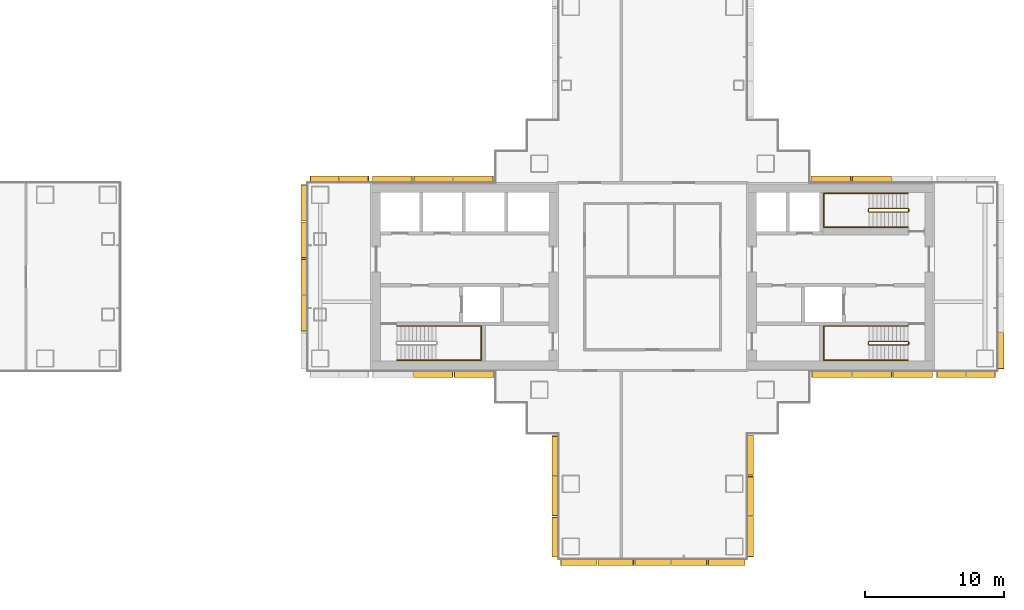
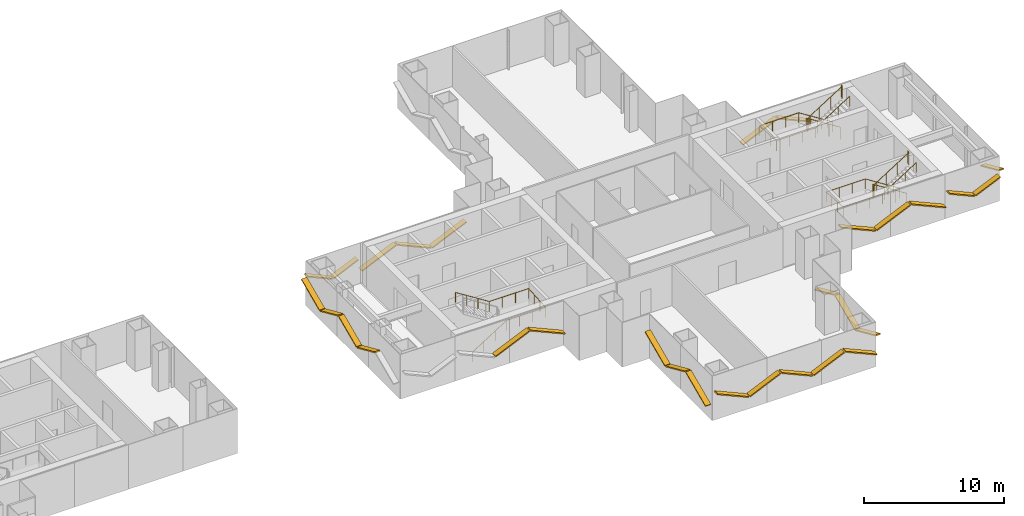
# One storey, part 18 of 20: 30 shading devices, 5 railings.
"""IFC4 building model written with IfcOpenShell, lengths in metres."""

from ifc_helpers import new_model, si_unit, direction, frame, origin, origin_2d, place, context, subcontext, project, spatial, rectangle, circle, extrude, material, material_profile, profile_set, type_object, element, save


model = new_model("IFC4")

# Units and contexts
model_context = context("Model", 3, precision=1e-05, world=origin(), true_north=direction((0.0, 1.0)))
body_context = subcontext(model_context, "Body", "Model", "MODEL_VIEW")
ifc_project = project(units=[si_unit("LENGTHUNIT", "METRE"), si_unit("AREAUNIT", "SQUARE_METRE"), si_unit("VOLUMEUNIT", "CUBIC_METRE"), si_unit("PLANEANGLEUNIT", "RADIAN"), si_unit("MASSUNIT", "GRAM", prefix="KILO")], contexts=[model_context])

# Site, building, storey
site_placement = place(None, origin())
site = spatial("IfcSite", under=ifc_project, at=site_placement, CompositionType="ELEMENT")
building_placement = place(site_placement, origin())
building = spatial("IfcBuilding", under=site, at=building_placement, Name="Shamsa Quay Exchange Towers", CompositionType="ELEMENT")
storey_placement = place(building_placement, frame((0.0, 0.0, 105.300048828125)))
storey = spatial("IfcBuildingStorey", under=building, at=storey_placement, Name="L24", CompositionType="ELEMENT", Elevation=105.300048828125)

# Shading devices
ifc_material_1 = material(Name="Aluminium EN AW-6063 T6, black anodised", Category="aluminium")
ifc_material_profile = material_profile(ifc_material_1, rectangle(XDim=0.449951171875, YDim=0.10009765625, at=origin_2d()), Name="FIN450x100")
ifc_profile_set = profile_set([ifc_material_profile], Name="Aluminium EN AW-6063 T6, black anodised")
shading_device_type = type_object("IfcShadingDeviceType", Name="FIN 450x100 BLACK ALUMINIUM", PredefinedType="USERDEFINED", material=ifc_profile_set)
shading_device_1_placement = place(storey_placement, frame((45.18798828125, -7.01904296875, 2.231689453125), z_axis=(0.913529328323, 0.0, -0.406772868187), x_axis=(0.0, 1.0, 0.0)))
element("IfcShadingDevice", 1, at=shading_device_1_placement, inside=storey, type_object=shading_device_type, Name="FIN T2 chevron rib", ObjectType="FIN", PredefinedType="USERDEFINED", context=body_context, shape_type="SweptSolid", body=[
    extrude(rectangle(XDim=0.449951171875, YDim=0.10009765625, at=origin_2d()), origin(), (0.0, 0.0, 1.0), 3.10595703125),
])
shading_device_2_placement = place(storey_placement, frame((48.125244140625, -7.01904296875, 0.9794921875), z_axis=(0.913550687431, 0.0, 0.406724896576), x_axis=(0.0, 1.0, 0.0)))
element("IfcShadingDevice", 2, at=shading_device_2_placement, inside=storey, type_object=shading_device_type, Name="FIN T2 chevron rib", ObjectType="FIN", PredefinedType="USERDEFINED", context=body_context, shape_type="SweptSolid", body=[
    extrude(rectangle(XDim=0.449951171875, YDim=0.10009765625, at=origin_2d()), origin(), (0.0, 0.0, 1.0), 3.051025390625),
])
shading_device_3_placement = place(storey_placement, frame((51.0126953125, -7.01904296875, 2.231689453125), z_axis=(0.913529328323, 0.0, -0.406772868187), x_axis=(0.0, 1.0, 0.0)))
element("IfcShadingDevice", 3, at=shading_device_3_placement, inside=storey, type_object=shading_device_type, Name="FIN T2 chevron rib", ObjectType="FIN", PredefinedType="USERDEFINED", context=body_context, shape_type="SweptSolid", body=[
    extrude(rectangle(XDim=0.449951171875, YDim=0.10009765625, at=origin_2d()), origin(), (0.0, 0.0, 1.0), 3.10595703125),
])
for number, where, z_axis, x_axis, name in (
    (4, (54.14990234375, -7.014892578125, 2.056396484375), (0.913528691757, 0.0, -0.406774297783), (0.0, 1.0, 0.0), "FIN T2 chevron rib"),
    (5, (56.300048828125, -7.014892578125, 1.1435546875), (0.913528691757, 0.0, 0.406774297783), (0.0, 1.0, 0.0), "FIN T2 chevron rib"),
):
    element("IfcShadingDevice", number, at=place(storey_placement, frame(where, z_axis=z_axis, x_axis=x_axis)), inside=storey, type_object=shading_device_type, Name=name, ObjectType="FIN", PredefinedType="USERDEFINED", context=body_context, shape_type="SweptSolid", body=[
        extrude(rectangle(XDim=0.449951171875, YDim=0.10009765625, at=origin_2d()), origin(), (0.0, 0.0, 1.0), 2.244140625),
    ])
shading_device_4_placement = place(storey_placement, frame((58.764892578125, -6.60009765625, 2.176513671875), z_axis=(0.0, 0.91355925163, -0.406705659859), x_axis=(-1.0, 0.0, 0.0)))
element("IfcShadingDevice", 6, at=shading_device_4_placement, inside=storey, type_object=shading_device_type, Name="FIN T2 chevron rib", ObjectType="FIN", PredefinedType="USERDEFINED", context=body_context, shape_type="SweptSolid", body=[
    extrude(rectangle(XDim=0.449951171875, YDim=0.10009765625, at=origin_2d()), origin(), (0.0, 0.0, 1.0), 2.835205078125),
])
shading_device_5_placement = place(storey_placement, frame((50.89990234375, 7.01904296875, 0.9765625), z_axis=(-0.913512380128, 0.0, 0.406810928262), x_axis=(0.0, -1.0, 0.0)))
element("IfcShadingDevice", 7, at=shading_device_5_placement, inside=storey, type_object=shading_device_type, Name="FIN T2 chevron rib", ObjectType="FIN", PredefinedType="USERDEFINED", context=body_context, shape_type="SweptSolid", body=[
    extrude(rectangle(XDim=0.449951171875, YDim=0.10009765625, at=origin_2d()), origin(), (0.0, 0.0, 1.0), 3.06494140625),
])
shading_device_6_placement = place(storey_placement, frame((48.0, 7.01904296875, 2.234375), z_axis=(-0.913562893981, 0.0, -0.406697478158), x_axis=(0.0, -1.0, 0.0)))
element("IfcShadingDevice", 8, at=shading_device_6_placement, inside=storey, type_object=shading_device_type, Name="FIN T2 chevron rib", ObjectType="FIN", PredefinedType="USERDEFINED", context=body_context, shape_type="SweptSolid", body=[
    extrude(rectangle(XDim=0.449951171875, YDim=0.10009765625, at=origin_2d()), origin(), (0.0, 0.0, 1.0), 3.119873046875),
])
shading_device_7_placement = place(storey_placement, frame((22.31201171875, 7.01904296875, 2.231689453125), z_axis=(-0.913529328323, 0.0, -0.406772868187), x_axis=(0.0, -1.0, 0.0)))
element("IfcShadingDevice", 9, at=shading_device_7_placement, inside=storey, type_object=shading_device_type, Name="FIN T2 chevron rib", ObjectType="FIN", PredefinedType="USERDEFINED", context=body_context, shape_type="SweptSolid", body=[
    extrude(rectangle(XDim=0.449951171875, YDim=0.10009765625, at=origin_2d()), origin(), (0.0, 0.0, 1.0), 3.10595703125),
])
shading_device_8_placement = place(storey_placement, frame((19.374755859375, 7.01904296875, 0.9794921875), z_axis=(-0.913550687431, 0.0, 0.406724896576), x_axis=(0.0, -1.0, 0.0)))
element("IfcShadingDevice", 10, at=shading_device_8_placement, inside=storey, type_object=shading_device_type, Name="FIN T2 chevron rib", ObjectType="FIN", PredefinedType="USERDEFINED", context=body_context, shape_type="SweptSolid", body=[
    extrude(rectangle(XDim=0.449951171875, YDim=0.10009765625, at=origin_2d()), origin(), (0.0, 0.0, 1.0), 3.051025390625),
])
shading_device_9_placement = place(storey_placement, frame((16.4873046875, 7.01904296875, 2.231689453125), z_axis=(-0.913529328323, 0.0, -0.406772868187), x_axis=(0.0, -1.0, 0.0)))
element("IfcShadingDevice", 11, at=shading_device_9_placement, inside=storey, type_object=shading_device_type, Name="FIN T2 chevron rib", ObjectType="FIN", PredefinedType="USERDEFINED", context=body_context, shape_type="SweptSolid", body=[
    extrude(rectangle(XDim=0.449951171875, YDim=0.10009765625, at=origin_2d()), origin(), (0.0, 0.0, 1.0), 3.10595703125),
])
for number, where, z_axis, x_axis, name in (
    (12, (13.35009765625, 7.014892578125, 2.056396484375), (-0.913528691757, 0.0, -0.406774297783), (0.0, -1.0, 0.0), "FIN T2 chevron rib"),
    (13, (11.199951171875, 7.014892578125, 1.1435546875), (-0.913528691757, 0.0, 0.406774297783), (0.0, -1.0, 0.0), "FIN T2 chevron rib"),
):
    element("IfcShadingDevice", number, at=place(storey_placement, frame(where, z_axis=z_axis, x_axis=x_axis)), inside=storey, type_object=shading_device_type, Name=name, ObjectType="FIN", PredefinedType="USERDEFINED", context=body_context, shape_type="SweptSolid", body=[
        extrude(rectangle(XDim=0.449951171875, YDim=0.10009765625, at=origin_2d()), origin(), (0.0, 0.0, 1.0), 2.244140625),
    ])
shading_device_10_placement = place(storey_placement, frame((8.735107421875, 6.60009765625, 2.176513671875), z_axis=(0.0, -0.91355925163, -0.406705659859), x_axis=(1.0, 0.0, 0.0)))
element("IfcShadingDevice", 14, at=shading_device_10_placement, inside=storey, type_object=shading_device_type, Name="FIN T2 chevron rib", ObjectType="FIN", PredefinedType="USERDEFINED", context=body_context, shape_type="SweptSolid", body=[
    extrude(rectangle(XDim=0.449951171875, YDim=0.10009765625, at=origin_2d()), origin(), (0.0, 0.0, 1.0), 2.835205078125),
])
shading_device_11_placement = place(storey_placement, frame((8.735107421875, 3.909912109375, 1.034423828125), z_axis=(0.0, -0.913536125794, 0.406757602103), x_axis=(1.0, 0.0, 0.0)))
element("IfcShadingDevice", 15, at=shading_device_11_placement, inside=storey, type_object=shading_device_type, Name="FIN T2 chevron rib", ObjectType="FIN", PredefinedType="USERDEFINED", context=body_context, shape_type="SweptSolid", body=[
    extrude(rectangle(XDim=0.449951171875, YDim=0.10009765625, at=origin_2d()), origin(), (0.0, 0.0, 1.0), 2.7802734375),
])
shading_device_12_placement = place(storey_placement, frame((8.735107421875, 1.27001953125, 2.165283203125), z_axis=(0.0, -0.913550653139, -0.4067249736), x_axis=(1.0, 0.0, 0.0)))
element("IfcShadingDevice", 16, at=shading_device_12_placement, inside=storey, type_object=shading_device_type, Name="FIN T2 chevron rib", ObjectType="FIN", PredefinedType="USERDEFINED", context=body_context, shape_type="SweptSolid", body=[
    extrude(rectangle(XDim=0.449951171875, YDim=0.10009765625, at=origin_2d()), origin(), (0.0, 0.0, 1.0), 2.780517578125),
])
shading_device_13_placement = place(storey_placement, frame((8.735107421875, -1.3701171875, 1.034423828125), z_axis=(0.0, -0.913536125794, 0.406757602103), x_axis=(1.0, 0.0, 0.0)))
element("IfcShadingDevice", 17, at=shading_device_13_placement, inside=storey, type_object=shading_device_type, Name="FIN T2 chevron rib", ObjectType="FIN", PredefinedType="USERDEFINED", context=body_context, shape_type="SweptSolid", body=[
    extrude(rectangle(XDim=0.449951171875, YDim=0.10009765625, at=origin_2d()), origin(), (0.0, 0.0, 1.0), 2.7802734375),
])
shading_device_14_placement = place(storey_placement, frame((16.60009765625, -7.01904296875, 0.9765625), z_axis=(0.913512380128, 0.0, 0.406810928262), x_axis=(0.0, 1.0, 0.0)))
element("IfcShadingDevice", 18, at=shading_device_14_placement, inside=storey, type_object=shading_device_type, Name="FIN T2 chevron rib", ObjectType="FIN", PredefinedType="USERDEFINED", context=body_context, shape_type="SweptSolid", body=[
    extrude(rectangle(XDim=0.449951171875, YDim=0.10009765625, at=origin_2d()), origin(), (0.0, 0.0, 1.0), 3.06494140625),
])
shading_device_15_placement = place(storey_placement, frame((19.5, -7.01904296875, 2.234375), z_axis=(0.913562893981, 0.0, -0.406697478158), x_axis=(0.0, 1.0, 0.0)))
element("IfcShadingDevice", 19, at=shading_device_15_placement, inside=storey, type_object=shading_device_type, Name="FIN T2 chevron rib", ObjectType="FIN", PredefinedType="USERDEFINED", context=body_context, shape_type="SweptSolid", body=[
    extrude(rectangle(XDim=0.449951171875, YDim=0.10009765625, at=origin_2d()), origin(), (0.0, 0.0, 1.0), 3.119873046875),
])
shading_device_16_placement = place(storey_placement, frame((26.735107421875, -11.43798828125, 2.231689453125), z_axis=(0.0, -0.913529328323, -0.406772868187), x_axis=(1.0, 0.0, 0.0)))
element("IfcShadingDevice", 20, at=shading_device_16_placement, inside=storey, type_object=shading_device_type, Name="FIN T2 chevron rib", ObjectType="FIN", PredefinedType="USERDEFINED", context=body_context, shape_type="SweptSolid", body=[
    extrude(rectangle(XDim=0.449951171875, YDim=0.10009765625, at=origin_2d()), origin(), (0.0, 0.0, 1.0), 3.10595703125),
])
shading_device_17_placement = place(storey_placement, frame((26.735107421875, -14.375244140625, 0.9794921875), z_axis=(0.0, -0.913550687431, 0.406724896576), x_axis=(1.0, 0.0, 0.0)))
element("IfcShadingDevice", 21, at=shading_device_17_placement, inside=storey, type_object=shading_device_type, Name="FIN T2 chevron rib", ObjectType="FIN", PredefinedType="USERDEFINED", context=body_context, shape_type="SweptSolid", body=[
    extrude(rectangle(XDim=0.449951171875, YDim=0.10009765625, at=origin_2d()), origin(), (0.0, 0.0, 1.0), 3.051025390625),
])
shading_device_18_placement = place(storey_placement, frame((26.735107421875, -17.2626953125, 2.231689453125), z_axis=(0.0, -0.913529328323, -0.406772868187), x_axis=(1.0, 0.0, 0.0)))
element("IfcShadingDevice", 22, at=shading_device_18_placement, inside=storey, type_object=shading_device_type, Name="FIN T2 chevron rib", ObjectType="FIN", PredefinedType="USERDEFINED", context=body_context, shape_type="SweptSolid", body=[
    extrude(rectangle(XDim=0.449951171875, YDim=0.10009765625, at=origin_2d()), origin(), (0.0, 0.0, 1.0), 3.10595703125),
])
shading_device_19_placement = place(storey_placement, frame((27.14990234375, -20.514892578125, 2.176513671875), z_axis=(0.91355925163, 0.0, -0.406705659859), x_axis=(0.0, 1.0, 0.0)))
element("IfcShadingDevice", 23, at=shading_device_19_placement, inside=storey, type_object=shading_device_type, Name="FIN T2 chevron rib", ObjectType="FIN", PredefinedType="USERDEFINED", context=body_context, shape_type="SweptSolid", body=[
    extrude(rectangle(XDim=0.449951171875, YDim=0.10009765625, at=origin_2d()), origin(), (0.0, 0.0, 1.0), 2.835205078125),
])
shading_device_20_placement = place(storey_placement, frame((29.840087890625, -20.514892578125, 1.034423828125), z_axis=(0.913536125794, 0.0, 0.406757602103), x_axis=(0.0, 1.0, 0.0)))
element("IfcShadingDevice", 24, at=shading_device_20_placement, inside=storey, type_object=shading_device_type, Name="FIN T2 chevron rib", ObjectType="FIN", PredefinedType="USERDEFINED", context=body_context, shape_type="SweptSolid", body=[
    extrude(rectangle(XDim=0.449951171875, YDim=0.10009765625, at=origin_2d()), origin(), (0.0, 0.0, 1.0), 2.7802734375),
])
shading_device_21_placement = place(storey_placement, frame((32.47998046875, -20.514892578125, 2.165283203125), z_axis=(0.913550653139, 0.0, -0.4067249736), x_axis=(0.0, 1.0, 0.0)))
element("IfcShadingDevice", 25, at=shading_device_21_placement, inside=storey, type_object=shading_device_type, Name="FIN T2 chevron rib", ObjectType="FIN", PredefinedType="USERDEFINED", context=body_context, shape_type="SweptSolid", body=[
    extrude(rectangle(XDim=0.449951171875, YDim=0.10009765625, at=origin_2d()), origin(), (0.0, 0.0, 1.0), 2.780517578125),
])
shading_device_22_placement = place(storey_placement, frame((35.1201171875, -20.514892578125, 1.034423828125), z_axis=(0.913536125794, 0.0, 0.406757602103), x_axis=(0.0, 1.0, 0.0)))
element("IfcShadingDevice", 26, at=shading_device_22_placement, inside=storey, type_object=shading_device_type, Name="FIN T2 chevron rib", ObjectType="FIN", PredefinedType="USERDEFINED", context=body_context, shape_type="SweptSolid", body=[
    extrude(rectangle(XDim=0.449951171875, YDim=0.10009765625, at=origin_2d()), origin(), (0.0, 0.0, 1.0), 2.7802734375),
])
shading_device_23_placement = place(storey_placement, frame((37.760009765625, -20.514892578125, 2.176513671875), z_axis=(0.91355925163, 0.0, -0.406705659859), x_axis=(0.0, 1.0, 0.0)))
element("IfcShadingDevice", 27, at=shading_device_23_placement, inside=storey, type_object=shading_device_type, Name="FIN T2 chevron rib", ObjectType="FIN", PredefinedType="USERDEFINED", context=body_context, shape_type="SweptSolid", body=[
    extrude(rectangle(XDim=0.449951171875, YDim=0.10009765625, at=origin_2d()), origin(), (0.0, 0.0, 1.0), 2.835205078125),
])
shading_device_24_placement = place(storey_placement, frame((40.764892578125, -20.10009765625, 2.234375), z_axis=(0.0, 0.913562893981, -0.406697478158), x_axis=(-1.0, 0.0, 0.0)))
element("IfcShadingDevice", 28, at=shading_device_24_placement, inside=storey, type_object=shading_device_type, Name="FIN T2 chevron rib", ObjectType="FIN", PredefinedType="USERDEFINED", context=body_context, shape_type="SweptSolid", body=[
    extrude(rectangle(XDim=0.449951171875, YDim=0.10009765625, at=origin_2d()), origin(), (0.0, 0.0, 1.0), 3.119873046875),
])
shading_device_25_placement = place(storey_placement, frame((40.764892578125, -17.14990234375, 0.9765625), z_axis=(0.0, 0.913512380128, 0.406810928262), x_axis=(-1.0, 0.0, 0.0)))
element("IfcShadingDevice", 29, at=shading_device_25_placement, inside=storey, type_object=shading_device_type, Name="FIN T2 chevron rib", ObjectType="FIN", PredefinedType="USERDEFINED", context=body_context, shape_type="SweptSolid", body=[
    extrude(rectangle(XDim=0.449951171875, YDim=0.10009765625, at=origin_2d()), origin(), (0.0, 0.0, 1.0), 3.06494140625),
])
shading_device_26_placement = place(storey_placement, frame((40.764892578125, -14.25, 2.234375), z_axis=(0.0, 0.913562893981, -0.406697478158), x_axis=(-1.0, 0.0, 0.0)))
element("IfcShadingDevice", 30, at=shading_device_26_placement, inside=storey, type_object=shading_device_type, Name="FIN T2 chevron rib", ObjectType="FIN", PredefinedType="USERDEFINED", context=body_context, shape_type="SweptSolid", body=[
    extrude(rectangle(XDim=0.449951171875, YDim=0.10009765625, at=origin_2d()), origin(), (0.0, 0.0, 1.0), 3.119873046875),
])

# Railings
ifc_material_2 = material(Name="Stainless steel", Category="steel")
railing_type_1 = type_object("IfcRailingType", Name="STAIR GUARD 1100", PredefinedType="GUARDRAIL", material=ifc_material_2)
railing_1_placement = place(storey_placement, frame((52.10009765625, -4.64990234375, 0.17724609375)))
element("IfcRailing", 31, at=railing_1_placement, inside=storey, type_object=railing_type_1, Name="L24 ST5 stair guard 1", PredefinedType="GUARDRAIL", context=body_context, shape_type="SweptSolid", body=[
    extrude(circle(Radius=0.02392578125, at=origin_2d()), frame((0.0, 0.0, 1.076171875), z_axis=(-0.844908973607, 0.0, 0.534910110503), x_axis=(0.0, -1.0, 0.0)), (0.0, 0.0, 1.0), 3.31396484375),
    extrude(circle(Radius=0.02392578125, at=origin_2d()), frame((-2.800048828125, 0.0, 2.8486328125), z_axis=(-0.707106781187, -0.707106781187, 0.0), x_axis=(0.707106781187, -0.707106781187, 0.0)), (0.0, 0.0, 1.0), 0.07080078125),
    extrude(circle(Radius=0.02392578125, at=origin_2d()), frame((-2.85009765625, -0.050048828125, 2.8486328125), z_axis=(0.0, -1.0, 0.0), x_axis=(1.0, 0.0, 0.0)), (0.0, 0.0, 1.0), 0.150146484375),
    extrude(circle(Radius=0.02392578125, at=origin_2d()), frame((-2.85009765625, -0.2001953125, 2.8486328125), z_axis=(0.262321481514, -0.261041864531, 0.929001929653), x_axis=(0.705375805398, 0.708833529934, 0.0)), (0.0, 0.0, 1.0), 0.190673828125),
    extrude(circle(Radius=0.02392578125, at=origin_2d()), frame((-2.800048828125, -0.25, 3.02587890625), z_axis=(0.844908973607, 0.0, 0.534910110503), x_axis=(0.0, 1.0, 0.0)), (0.0, 0.0, 1.0), 3.31396484375),
    extrude(circle(Radius=0.02392578125, at=origin_2d()), frame((0.0, -0.25, 4.798828125), z_axis=(0.241699205484, 0.970351222016, 0.0), x_axis=(-0.970351222016, 0.241699205484, 0.0)), (0.0, 0.0, 1.0), 0.2060546875),
    extrude(circle(Radius=0.02392578125, at=origin_2d()), frame((0.0498046875, -0.050048828125, 4.798828125), z_axis=(0.0, -1.0, 0.0), x_axis=(1.0, 0.0, 0.0)), (0.0, 0.0, 1.0), 0.150146484375),
    extrude(circle(Radius=0.02099609375, at=origin_2d()), origin(), (0.0, 0.0, 1.0), 1.052001953125),
    extrude(circle(Radius=0.02099609375, at=origin_2d()), frame((-0.933349609375, 0.0, 0.5908203125)), (0.0, 0.0, 1.0), 1.052001953125),
    extrude(circle(Radius=0.02099609375, at=origin_2d()), frame((-1.86669921875, 0.0, 1.181884765625)), (0.0, 0.0, 1.0), 1.052001953125),
    extrude(circle(Radius=0.02099609375, at=origin_2d()), frame((-2.800048828125, 0.0, 1.772705078125)), (0.0, 0.0, 1.0), 1.052001953125),
    extrude(circle(Radius=0.02099609375, at=origin_2d()), frame((-2.85009765625, -0.050048828125, 1.772705078125)), (0.0, 0.0, 1.0), 1.052001953125),
    extrude(circle(Radius=0.02099609375, at=origin_2d()), frame((-2.85009765625, -0.2001953125, 1.772705078125)), (0.0, 0.0, 1.0), 1.052001953125),
    extrude(circle(Radius=0.02099609375, at=origin_2d()), frame((-2.800048828125, -0.25, 1.949951171875)), (0.0, 0.0, 1.0), 1.052001953125),
    extrude(circle(Radius=0.02099609375, at=origin_2d()), frame((-1.86669921875, -0.25, 2.540771484375)), (0.0, 0.0, 1.0), 1.052001953125),
    extrude(circle(Radius=0.02099609375, at=origin_2d()), frame((-0.933349609375, -0.25, 3.1318359375)), (0.0, 0.0, 1.0), 1.052001953125),
    extrude(circle(Radius=0.02099609375, at=origin_2d()), frame((0.0, -0.25, 3.72265625)), (0.0, 0.0, 1.0), 1.052001953125),
    extrude(circle(Radius=0.02099609375, at=origin_2d()), frame((0.0498046875, -0.050048828125, 3.72265625)), (0.0, 0.0, 1.0), 1.052001953125),
    extrude(circle(Radius=0.02099609375, at=origin_2d()), frame((0.0498046875, -0.2001953125, 3.72265625)), (0.0, 0.0, 1.0), 1.052001953125),
])
railing_2_placement = place(storey_placement, frame((52.10009765625, 4.89990234375, 0.17724609375)))
element("IfcRailing", 32, at=railing_2_placement, inside=storey, type_object=railing_type_1, Name="L24 ST6 stair guard 1", PredefinedType="GUARDRAIL", context=body_context, shape_type="SweptSolid", body=[
    extrude(circle(Radius=0.02392578125, at=origin_2d()), frame((0.0, 0.0, 1.076171875), z_axis=(-0.844908973607, 0.0, 0.534910110503), x_axis=(0.0, -1.0, 0.0)), (0.0, 0.0, 1.0), 3.31396484375),
    extrude(circle(Radius=0.02392578125, at=origin_2d()), frame((-2.800048828125, 0.0, 2.8486328125), z_axis=(-0.708833529934, -0.705375805398, 0.0), x_axis=(0.705375805398, -0.708833529934, 0.0)), (0.0, 0.0, 1.0), 0.070556640625),
    extrude(circle(Radius=0.02392578125, at=origin_2d()), frame((-2.85009765625, -0.0498046875, 2.8486328125), z_axis=(0.0, -1.0, 0.0), x_axis=(1.0, 0.0, 0.0)), (0.0, 0.0, 1.0), 0.150146484375),
    extrude(circle(Radius=0.02392578125, at=origin_2d()), frame((-2.85009765625, -0.199951171875, 2.8486328125), z_axis=(0.262233686654, -0.262233686654, 0.928691007369), x_axis=(0.707106781187, 0.707106781187, 0.0)), (0.0, 0.0, 1.0), 0.19091796875),
    extrude(circle(Radius=0.02392578125, at=origin_2d()), frame((-2.800048828125, -0.25, 3.02587890625), z_axis=(0.844908973607, 0.0, 0.534910110503), x_axis=(0.0, 1.0, 0.0)), (0.0, 0.0, 1.0), 3.31396484375),
    extrude(circle(Radius=0.02392578125, at=origin_2d()), frame((0.0, -0.25, 4.798828125), z_axis=(0.24142163986, 0.970420317083, 0.0), x_axis=(-0.970420317083, 0.24142163986, 0.0)), (0.0, 0.0, 1.0), 0.206298828125),
    extrude(circle(Radius=0.02392578125, at=origin_2d()), frame((0.0498046875, -0.0498046875, 4.798828125), z_axis=(0.0, -1.0, 0.0), x_axis=(1.0, 0.0, 0.0)), (0.0, 0.0, 1.0), 0.150146484375),
    extrude(circle(Radius=0.02099609375, at=origin_2d()), origin(), (0.0, 0.0, 1.0), 1.052001953125),
    extrude(circle(Radius=0.02099609375, at=origin_2d()), frame((-0.933349609375, 0.0, 0.5908203125)), (0.0, 0.0, 1.0), 1.052001953125),
    extrude(circle(Radius=0.02099609375, at=origin_2d()), frame((-1.86669921875, 0.0, 1.181884765625)), (0.0, 0.0, 1.0), 1.052001953125),
    extrude(circle(Radius=0.02099609375, at=origin_2d()), frame((-2.800048828125, 0.0, 1.772705078125)), (0.0, 0.0, 1.0), 1.052001953125),
    extrude(circle(Radius=0.02099609375, at=origin_2d()), frame((-2.85009765625, -0.0498046875, 1.772705078125)), (0.0, 0.0, 1.0), 1.052001953125),
    extrude(circle(Radius=0.02099609375, at=origin_2d()), frame((-2.85009765625, -0.199951171875, 1.772705078125)), (0.0, 0.0, 1.0), 1.052001953125),
    extrude(circle(Radius=0.02099609375, at=origin_2d()), frame((-2.800048828125, -0.25, 1.949951171875)), (0.0, 0.0, 1.0), 1.052001953125),
    extrude(circle(Radius=0.02099609375, at=origin_2d()), frame((-1.86669921875, -0.25, 2.540771484375)), (0.0, 0.0, 1.0), 1.052001953125),
    extrude(circle(Radius=0.02099609375, at=origin_2d()), frame((-0.933349609375, -0.25, 3.1318359375)), (0.0, 0.0, 1.0), 1.052001953125),
    extrude(circle(Radius=0.02099609375, at=origin_2d()), frame((0.0, -0.25, 3.72265625)), (0.0, 0.0, 1.0), 1.052001953125),
    extrude(circle(Radius=0.02099609375, at=origin_2d()), frame((0.0498046875, -0.0498046875, 3.72265625)), (0.0, 0.0, 1.0), 1.052001953125),
    extrude(circle(Radius=0.02099609375, at=origin_2d()), frame((0.0498046875, -0.199951171875, 3.72265625)), (0.0, 0.0, 1.0), 1.052001953125),
])
railing_type_2 = type_object("IfcRailingType", Name="STAIR HANDRAIL 900", PredefinedType="HANDRAIL", material=ifc_material_2)
railing_3_placement = place(storey_placement, frame((15.39990234375, -6.0, 0.17724609375)))
element("IfcRailing", 33, at=railing_3_placement, inside=storey, type_object=railing_type_2, Name="L24 ST4 stair handrail 1", PredefinedType="HANDRAIL", context=body_context, shape_type="SweptSolid", body=[
    extrude(circle(Radius=0.02392578125, at=origin_2d()), frame((0.0, 0.0, 0.8759765625), z_axis=(0.844908973607, 0.0, 0.534910110503), x_axis=(0.0, 1.0, 0.0)), (0.0, 0.0, 1.0), 3.31396484375),
    extrude(circle(Radius=0.02392578125, at=origin_2d()), frame((2.800048828125, 0.0, 2.6484375), z_axis=(1.0, 0.0, 0.0), x_axis=(0.0, 1.0, 0.0)), (0.0, 0.0, 1.0), 3.25),
    extrude(circle(Radius=0.02392578125, at=origin_2d()), frame((6.050048828125, 0.0, 2.6484375), z_axis=(0.0, 0.997393199914, 0.07215819264), x_axis=(-1.0, 0.0, 0.0)), (0.0, 0.0, 1.0), 2.456298828125),
    extrude(circle(Radius=0.02392578125, at=origin_2d()), frame((6.050048828125, 2.449951171875, 2.82568359375), z_axis=(-1.0, 0.0, 0.0), x_axis=(0.0, -1.0, 0.0)), (0.0, 0.0, 1.0), 3.25),
    extrude(circle(Radius=0.02392578125, at=origin_2d()), frame((2.800048828125, 2.449951171875, 2.82568359375), z_axis=(-0.844908973607, 0.0, 0.534910110503), x_axis=(0.0, -1.0, 0.0)), (0.0, 0.0, 1.0), 3.31396484375),
    extrude(circle(Radius=0.02099609375, at=origin_2d()), origin(), (0.0, 0.0, 1.0), 0.851806640625),
    extrude(circle(Radius=0.02099609375, at=origin_2d()), frame((0.933349609375, 0.0, 0.5908203125)), (0.0, 0.0, 1.0), 0.851806640625),
    extrude(circle(Radius=0.02099609375, at=origin_2d()), frame((1.86669921875, 0.0, 1.181884765625)), (0.0, 0.0, 1.0), 0.851806640625),
    extrude(circle(Radius=0.02099609375, at=origin_2d()), frame((2.800048828125, 0.0, 1.772705078125)), (0.0, 0.0, 1.0), 0.851806640625),
    extrude(circle(Radius=0.02099609375, at=origin_2d()), frame((3.88330078125, 0.0, 1.772705078125)), (0.0, 0.0, 1.0), 0.851806640625),
    extrude(circle(Radius=0.02099609375, at=origin_2d()), frame((4.966796875, 0.0, 1.772705078125)), (0.0, 0.0, 1.0), 0.851806640625),
    extrude(circle(Radius=0.02099609375, at=origin_2d()), frame((6.050048828125, 0.0, 1.772705078125)), (0.0, 0.0, 1.0), 0.851806640625),
    extrude(circle(Radius=0.02099609375, at=origin_2d()), frame((6.050048828125, 0.816650390625, 1.831787109375)), (0.0, 0.0, 1.0), 0.851806640625),
    extrude(circle(Radius=0.02099609375, at=origin_2d()), frame((6.050048828125, 1.63330078125, 1.890869140625)), (0.0, 0.0, 1.0), 0.851806640625),
    extrude(circle(Radius=0.02099609375, at=origin_2d()), frame((6.050048828125, 2.449951171875, 1.949951171875)), (0.0, 0.0, 1.0), 0.851806640625),
    extrude(circle(Radius=0.02099609375, at=origin_2d()), frame((4.966796875, 2.449951171875, 1.949951171875)), (0.0, 0.0, 1.0), 0.851806640625),
    extrude(circle(Radius=0.02099609375, at=origin_2d()), frame((3.88330078125, 2.449951171875, 1.949951171875)), (0.0, 0.0, 1.0), 0.851806640625),
    extrude(circle(Radius=0.02099609375, at=origin_2d()), frame((2.800048828125, 2.449951171875, 1.949951171875)), (0.0, 0.0, 1.0), 0.851806640625),
    extrude(circle(Radius=0.02099609375, at=origin_2d()), frame((1.86669921875, 2.449951171875, 2.540771484375)), (0.0, 0.0, 1.0), 0.851806640625),
    extrude(circle(Radius=0.02099609375, at=origin_2d()), frame((0.933349609375, 2.449951171875, 3.1318359375)), (0.0, 0.0, 1.0), 0.851806640625),
    extrude(circle(Radius=0.02099609375, at=origin_2d()), frame((0.0, 2.449951171875, 3.72265625)), (0.0, 0.0, 1.0), 0.851806640625),
])
railing_4_placement = place(storey_placement, frame((52.10009765625, -3.550048828125, 0.17724609375)))
element("IfcRailing", 34, at=railing_4_placement, inside=storey, type_object=railing_type_2, Name="L24 ST5 stair handrail 1", PredefinedType="HANDRAIL", context=body_context, shape_type="SweptSolid", body=[
    extrude(circle(Radius=0.02392578125, at=origin_2d()), frame((0.0, 0.0, 0.8759765625), z_axis=(-0.844908973607, 0.0, 0.534910110503), x_axis=(0.0, -1.0, 0.0)), (0.0, 0.0, 1.0), 3.31396484375),
    extrude(circle(Radius=0.02392578125, at=origin_2d()), frame((-2.800048828125, 0.0, 2.6484375), z_axis=(-1.0, 0.0, 0.0), x_axis=(0.0, -1.0, 0.0)), (0.0, 0.0, 1.0), 3.25),
    extrude(circle(Radius=0.02392578125, at=origin_2d()), frame((-6.050048828125, 0.0, 2.6484375), z_axis=(0.0, -0.997393199914, 0.07215819264), x_axis=(1.0, 0.0, 0.0)), (0.0, 0.0, 1.0), 2.456298828125),
    extrude(circle(Radius=0.02392578125, at=origin_2d()), frame((-6.050048828125, -2.449951171875, 2.82568359375), z_axis=(1.0, 0.0, 0.0), x_axis=(0.0, 1.0, 0.0)), (0.0, 0.0, 1.0), 3.25),
    extrude(circle(Radius=0.02392578125, at=origin_2d()), frame((-2.800048828125, -2.449951171875, 2.82568359375), z_axis=(0.844908973607, 0.0, 0.534910110503), x_axis=(0.0, 1.0, 0.0)), (0.0, 0.0, 1.0), 3.31396484375),
    extrude(circle(Radius=0.02099609375, at=origin_2d()), origin(), (0.0, 0.0, 1.0), 0.851806640625),
    extrude(circle(Radius=0.02099609375, at=origin_2d()), frame((-0.933349609375, 0.0, 0.5908203125)), (0.0, 0.0, 1.0), 0.851806640625),
    extrude(circle(Radius=0.02099609375, at=origin_2d()), frame((-1.86669921875, 0.0, 1.181884765625)), (0.0, 0.0, 1.0), 0.851806640625),
    extrude(circle(Radius=0.02099609375, at=origin_2d()), frame((-2.800048828125, 0.0, 1.772705078125)), (0.0, 0.0, 1.0), 0.851806640625),
    extrude(circle(Radius=0.02099609375, at=origin_2d()), frame((-3.88330078125, 0.0, 1.772705078125)), (0.0, 0.0, 1.0), 0.851806640625),
    extrude(circle(Radius=0.02099609375, at=origin_2d()), frame((-4.966796875, 0.0, 1.772705078125)), (0.0, 0.0, 1.0), 0.851806640625),
    extrude(circle(Radius=0.02099609375, at=origin_2d()), frame((-6.050048828125, 0.0, 1.772705078125)), (0.0, 0.0, 1.0), 0.851806640625),
    extrude(circle(Radius=0.02099609375, at=origin_2d()), frame((-6.050048828125, -0.816650390625, 1.831787109375)), (0.0, 0.0, 1.0), 0.851806640625),
    extrude(circle(Radius=0.02099609375, at=origin_2d()), frame((-6.050048828125, -1.63330078125, 1.890869140625)), (0.0, 0.0, 1.0), 0.851806640625),
    extrude(circle(Radius=0.02099609375, at=origin_2d()), frame((-6.050048828125, -2.449951171875, 1.949951171875)), (0.0, 0.0, 1.0), 0.851806640625),
    extrude(circle(Radius=0.02099609375, at=origin_2d()), frame((-4.966796875, -2.449951171875, 1.949951171875)), (0.0, 0.0, 1.0), 0.851806640625),
    extrude(circle(Radius=0.02099609375, at=origin_2d()), frame((-3.88330078125, -2.449951171875, 1.949951171875)), (0.0, 0.0, 1.0), 0.851806640625),
    extrude(circle(Radius=0.02099609375, at=origin_2d()), frame((-2.800048828125, -2.449951171875, 1.949951171875)), (0.0, 0.0, 1.0), 0.851806640625),
    extrude(circle(Radius=0.02099609375, at=origin_2d()), frame((-1.86669921875, -2.449951171875, 2.540771484375)), (0.0, 0.0, 1.0), 0.851806640625),
    extrude(circle(Radius=0.02099609375, at=origin_2d()), frame((-0.933349609375, -2.449951171875, 3.1318359375)), (0.0, 0.0, 1.0), 0.851806640625),
    extrude(circle(Radius=0.02099609375, at=origin_2d()), frame((0.0, -2.449951171875, 3.72265625)), (0.0, 0.0, 1.0), 0.851806640625),
])
railing_5_placement = place(storey_placement, frame((52.10009765625, 6.0, 0.17724609375)))
element("IfcRailing", 35, at=railing_5_placement, inside=storey, type_object=railing_type_2, Name="L24 ST6 stair handrail 1", PredefinedType="HANDRAIL", context=body_context, shape_type="SweptSolid", body=[
    extrude(circle(Radius=0.02392578125, at=origin_2d()), frame((0.0, 0.0, 0.8759765625), z_axis=(-0.844908973607, 0.0, 0.534910110503), x_axis=(0.0, -1.0, 0.0)), (0.0, 0.0, 1.0), 3.31396484375),
    extrude(circle(Radius=0.02392578125, at=origin_2d()), frame((-2.800048828125, 0.0, 2.6484375), z_axis=(-1.0, 0.0, 0.0), x_axis=(0.0, -1.0, 0.0)), (0.0, 0.0, 1.0), 3.25),
    extrude(circle(Radius=0.02392578125, at=origin_2d()), frame((-6.050048828125, 0.0, 2.6484375), z_axis=(0.0, -0.997393199914, 0.07215819264), x_axis=(1.0, 0.0, 0.0)), (0.0, 0.0, 1.0), 2.456298828125),
    extrude(circle(Radius=0.02392578125, at=origin_2d()), frame((-6.050048828125, -2.449951171875, 2.82568359375), z_axis=(1.0, 0.0, 0.0), x_axis=(0.0, 1.0, 0.0)), (0.0, 0.0, 1.0), 3.25),
    extrude(circle(Radius=0.02392578125, at=origin_2d()), frame((-2.800048828125, -2.449951171875, 2.82568359375), z_axis=(0.844908973607, 0.0, 0.534910110503), x_axis=(0.0, 1.0, 0.0)), (0.0, 0.0, 1.0), 3.31396484375),
    extrude(circle(Radius=0.02099609375, at=origin_2d()), origin(), (0.0, 0.0, 1.0), 0.851806640625),
    extrude(circle(Radius=0.02099609375, at=origin_2d()), frame((-0.933349609375, 0.0, 0.5908203125)), (0.0, 0.0, 1.0), 0.851806640625),
    extrude(circle(Radius=0.02099609375, at=origin_2d()), frame((-1.86669921875, 0.0, 1.181884765625)), (0.0, 0.0, 1.0), 0.851806640625),
    extrude(circle(Radius=0.02099609375, at=origin_2d()), frame((-2.800048828125, 0.0, 1.772705078125)), (0.0, 0.0, 1.0), 0.851806640625),
    extrude(circle(Radius=0.02099609375, at=origin_2d()), frame((-3.88330078125, 0.0, 1.772705078125)), (0.0, 0.0, 1.0), 0.851806640625),
    extrude(circle(Radius=0.02099609375, at=origin_2d()), frame((-4.966796875, 0.0, 1.772705078125)), (0.0, 0.0, 1.0), 0.851806640625),
    extrude(circle(Radius=0.02099609375, at=origin_2d()), frame((-6.050048828125, 0.0, 1.772705078125)), (0.0, 0.0, 1.0), 0.851806640625),
    extrude(circle(Radius=0.02099609375, at=origin_2d()), frame((-6.050048828125, -0.816650390625, 1.831787109375)), (0.0, 0.0, 1.0), 0.851806640625),
    extrude(circle(Radius=0.02099609375, at=origin_2d()), frame((-6.050048828125, -1.63330078125, 1.890869140625)), (0.0, 0.0, 1.0), 0.851806640625),
    extrude(circle(Radius=0.02099609375, at=origin_2d()), frame((-6.050048828125, -2.449951171875, 1.949951171875)), (0.0, 0.0, 1.0), 0.851806640625),
    extrude(circle(Radius=0.02099609375, at=origin_2d()), frame((-4.966796875, -2.449951171875, 1.949951171875)), (0.0, 0.0, 1.0), 0.851806640625),
    extrude(circle(Radius=0.02099609375, at=origin_2d()), frame((-3.88330078125, -2.449951171875, 1.949951171875)), (0.0, 0.0, 1.0), 0.851806640625),
    extrude(circle(Radius=0.02099609375, at=origin_2d()), frame((-2.800048828125, -2.449951171875, 1.949951171875)), (0.0, 0.0, 1.0), 0.851806640625),
    extrude(circle(Radius=0.02099609375, at=origin_2d()), frame((-1.86669921875, -2.449951171875, 2.540771484375)), (0.0, 0.0, 1.0), 0.851806640625),
    extrude(circle(Radius=0.02099609375, at=origin_2d()), frame((-0.933349609375, -2.449951171875, 3.1318359375)), (0.0, 0.0, 1.0), 0.851806640625),
    extrude(circle(Radius=0.02099609375, at=origin_2d()), frame((0.0, -2.449951171875, 3.72265625)), (0.0, 0.0, 1.0), 0.851806640625),
])

save(model, "model.ifc")
